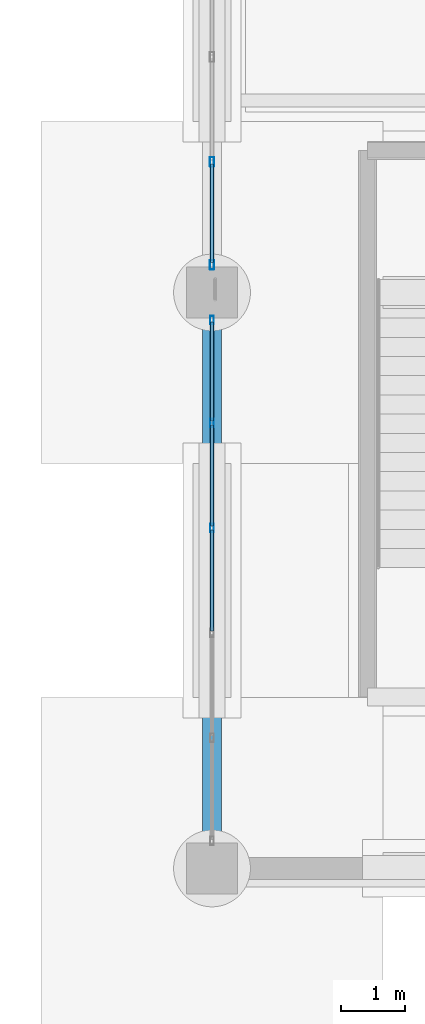
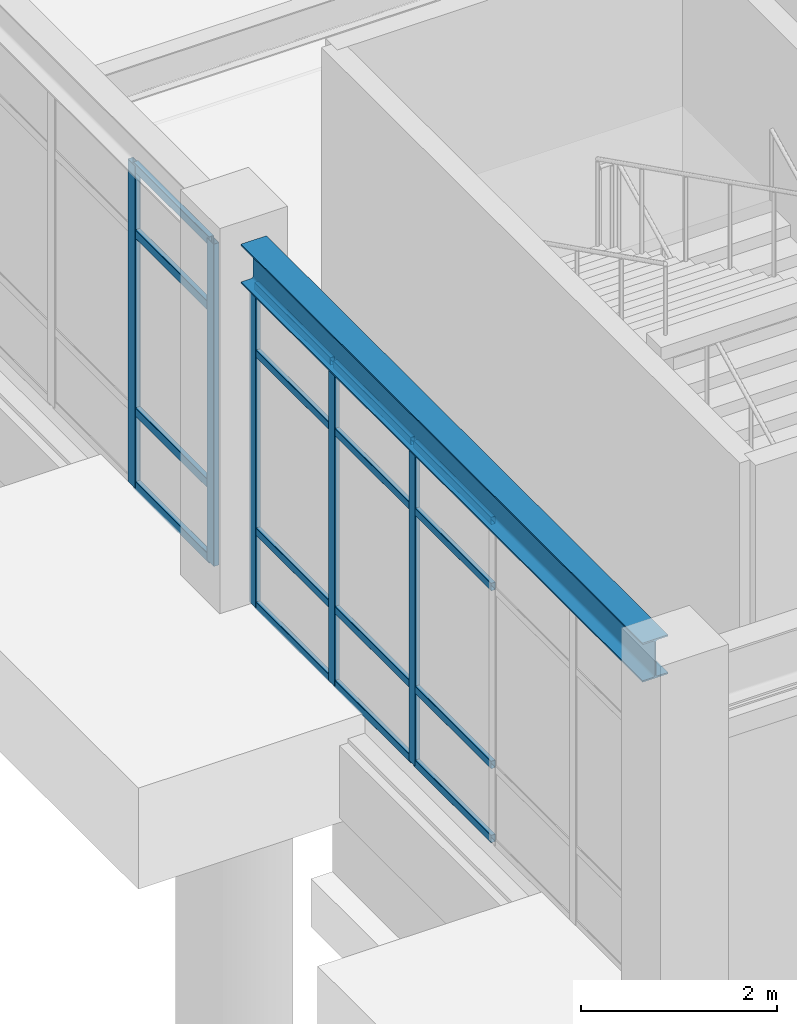
# One storey, part 35 of 98: 21 members, 1 beam, 2 elements without a shape of their own.
"""IFC4 building model written with IfcOpenShell, lengths in metres."""

from ifc_helpers import new_model, si_unit, direction, frame, origin, origin_2d, place, context, subcontext, project, spatial, hollow_rectangle, i_section, extrude, material, material_profile, profile_set, type_object, element, aggregate, save


model = new_model("IFC4")

# Units and contexts
model_context = context("Model", 3, precision=1e-05, world=origin(), true_north=direction((0.0, 1.0)))
body_context = subcontext(model_context, "Body", "Model", "MODEL_VIEW")
ifc_project = project(units=[si_unit("LENGTHUNIT", "METRE"), si_unit("AREAUNIT", "SQUARE_METRE"), si_unit("VOLUMEUNIT", "CUBIC_METRE"), si_unit("PLANEANGLEUNIT", "RADIAN"), si_unit("MASSUNIT", "GRAM", prefix="KILO")], contexts=[model_context])

# Site, building, storey
site_placement = place(None, origin())
site = spatial("IfcSite", under=ifc_project, at=site_placement, CompositionType="ELEMENT")
building_placement = place(site_placement, origin())
building = spatial("IfcBuilding", under=site, at=building_placement, Name="Canglan Escarpment Cableway Terminal", CompositionType="ELEMENT")
storey_placement = place(building_placement, frame((0.0, 0.0, 9.60009765625)))
storey = spatial("IfcBuildingStorey", under=building, at=storey_placement, Name="L02", CompositionType="ELEMENT", Elevation=9.60009765625)

# Beam
ifc_material_1 = material(Name="Steel Q355B", Category="steel")
ifc_material_profile_1 = material_profile(ifc_material_1, i_section(OverallWidth=0.300048828125, OverallDepth=0.488037109375, WebThickness=0.010986328125, FlangeThickness=0.01806640625, FilletRadius=0.02587890625, at=origin_2d()), Name="HM 488x300x11x18")
ifc_profile_set_1 = profile_set([ifc_material_profile_1], Name="Steel Q355B")
beam_type = type_object("IfcBeamType", Name="BM-HM488", PredefinedType="BEAM", material=ifc_profile_set_1)
beam_placement = place(storey_placement, frame((115.10009765625, 43.39990234375, 4.27587890625), z_axis=(0.0, 1.0, 0.0), x_axis=(-1.0, 0.0, 0.0)))
element("IfcBeam", 1, at=beam_placement, inside=storey, type_object=beam_type, Name="Primary transverse girder B-09", PredefinedType="BEAM", context=body_context, shape_type="SweptSolid", body=[
    extrude(i_section(OverallWidth=0.300048828125, OverallDepth=0.488037109375, WebThickness=0.010986328125, FlangeThickness=0.01806640625, FilletRadius=0.02587890625, at=origin_2d()), origin(), (0.0, 0.0, 1.0), 8.2001953125),
])

# Curtain wall, members
ifc_material_2 = material(Name="Anodized bronze aluminium and Low-E double glazing", Category="aluminium")
curtain_wall_type = type_object("IfcCurtainWallType", Name="CW-BAY-8200x4025", PredefinedType="NOTDEFINED", material=ifc_material_2)
curtain_wall_1_placement = place(storey_placement, origin())
curtain_wall_1 = element("IfcCurtainWall", 2, at=curtain_wall_1_placement, inside=storey, type_object=curtain_wall_type, Name="Classical bay-between-piers glazed curtain wall CW-44", PredefinedType="NOTDEFINED")
ifc_material_3 = material(Name="Thermally broken anodized aluminium 6063-T6", Category="aluminium")
ifc_material_profile_2 = material_profile(ifc_material_3, hollow_rectangle(XDim=0.06005859375, YDim=0.1298828125, WallThickness=0.0029296875, InnerFilletRadius=0.0029296875, OuterFilletRadius=0.006103515625, at=origin_2d()), Name="ALU-MULL 60x130x3")
ifc_profile_set_2 = profile_set([ifc_material_profile_2], Name="Thermally broken anodized aluminium 6063-T6")
member_type_1 = type_object("IfcMemberType", Name="CWM-01", PredefinedType="MULLION", material=ifc_profile_set_2)
member_1_placement = place(storey_placement, frame((115.10009765625, 51.570068359375, 0.0), z_axis=(0.0, 0.0, 1.0), x_axis=(1.0, 0.0, 0.0)))
member_1 = element("IfcMember", 3, at=member_1_placement, type_object=member_type_1, Name="CW-44 mullion 1", PredefinedType="MULLION", context=body_context, shape_type="SweptSolid", body=[
    extrude(hollow_rectangle(XDim=0.06005859375, YDim=0.1298828125, WallThickness=0.0029296875, InnerFilletRadius=0.0029296875, OuterFilletRadius=0.006103515625, at=origin_2d()), origin(), (0.0, 0.0, 1.0), 4.016845703125),
])
member_2_placement = place(storey_placement, frame((115.10009765625, 49.9599609375, 0.0), z_axis=(0.0, 0.0, 1.0), x_axis=(1.0, 0.0, 0.0)))
member_2 = element("IfcMember", 4, at=member_2_placement, type_object=member_type_1, Name="CW-44 mullion 2", PredefinedType="MULLION", context=body_context, shape_type="SweptSolid", body=[
    extrude(hollow_rectangle(XDim=0.06005859375, YDim=0.1298828125, WallThickness=0.0029296875, InnerFilletRadius=0.0029296875, OuterFilletRadius=0.006103515625, at=origin_2d()), origin(), (0.0, 0.0, 1.0), 4.016845703125),
])
member_3_placement = place(storey_placement, frame((115.10009765625, 48.320068359375, 0.0), z_axis=(0.0, 0.0, 1.0), x_axis=(1.0, 0.0, 0.0)))
member_3 = element("IfcMember", 5, at=member_3_placement, type_object=member_type_1, Name="CW-44 mullion 3", PredefinedType="MULLION", context=body_context, shape_type="SweptSolid", body=[
    extrude(hollow_rectangle(XDim=0.06005859375, YDim=0.1298828125, WallThickness=0.0029296875, InnerFilletRadius=0.0029296875, OuterFilletRadius=0.006103515625, at=origin_2d()), origin(), (0.0, 0.0, 1.0), 4.016845703125),
])

curtain_wall_2_placement = place(storey_placement, origin())
curtain_wall_2 = element("IfcCurtainWall", 6, at=curtain_wall_2_placement, inside=storey, type_object=curtain_wall_type, Name="Classical bay-between-piers glazed curtain wall CW-44", PredefinedType="NOTDEFINED")
ifc_material_profile_3 = material_profile(ifc_material_3, hollow_rectangle(XDim=0.06494140625, YDim=0.14990234375, WallThickness=0.00341796875, InnerFilletRadius=0.00341796875, OuterFilletRadius=0.007080078125, at=origin_2d()), Name="ALU-MULL 65x150x3.5")
ifc_profile_set_3 = profile_set([ifc_material_profile_3], Name="Thermally broken anodized aluminium 6063-T6")
member_type_2 = type_object("IfcMemberType", Name="CWM-02", PredefinedType="MULLION", material=ifc_profile_set_3)
member_4_placement = place(storey_placement, frame((115.10009765625, 54.0400390625, 0.0), z_axis=(0.0, 0.0, 1.0), x_axis=(1.0, 0.0, 0.0)))
member_4 = element("IfcMember", 7, at=member_4_placement, type_object=member_type_2, Name="CW-44 mullion 5", PredefinedType="MULLION", context=body_context, shape_type="SweptSolid", body=[
    extrude(hollow_rectangle(XDim=0.06494140625, YDim=0.14990234375, WallThickness=0.00341796875, InnerFilletRadius=0.00341796875, OuterFilletRadius=0.007080078125, at=origin_2d()), origin(), (0.0, 0.0, 1.0), 4.016845703125),
])
member_5_placement = place(storey_placement, frame((115.10009765625, 52.4326171875, 0.0), z_axis=(0.0, 0.0, 1.0), x_axis=(1.0, 0.0, 0.0)))
member_5 = element("IfcMember", 8, at=member_5_placement, type_object=member_type_2, Name="CW-44 mullion 6", PredefinedType="MULLION", context=body_context, shape_type="SweptSolid", body=[
    extrude(hollow_rectangle(XDim=0.06494140625, YDim=0.14990234375, WallThickness=0.00341796875, InnerFilletRadius=0.00341796875, OuterFilletRadius=0.007080078125, at=origin_2d()), origin(), (0.0, 0.0, 1.0), 4.016845703125),
])

# Member
ifc_material_profile_4 = material_profile(ifc_material_3, hollow_rectangle(XDim=0.054931640625, YDim=0.094970703125, WallThickness=0.0029296875, InnerFilletRadius=0.0029296875, OuterFilletRadius=0.006103515625, at=origin_2d()), Name="ALU-TRAN 55x95x3")
ifc_profile_set_4 = profile_set([ifc_material_profile_4], Name="Thermally broken anodized aluminium 6063-T6")
member_type_3 = type_object("IfcMemberType", Name="CWT-01", PredefinedType="USERDEFINED", material=ifc_profile_set_4)
member_6_placement = place(storey_placement, frame((115.10009765625, 51.5400390625, 0.02734375), z_axis=(0.0, -1.0, 0.0), x_axis=(1.0, 0.0, 0.0)))
member_6 = element("IfcMember", 9, at=member_6_placement, type_object=member_type_3, Name="CW-44 transom 1.1", ObjectType="TRANSOM", PredefinedType="USERDEFINED", context=body_context, shape_type="SweptSolid", body=[
    extrude(hollow_rectangle(XDim=0.054931640625, YDim=0.094970703125, WallThickness=0.0029296875, InnerFilletRadius=0.0029296875, OuterFilletRadius=0.006103515625, at=origin_2d()), origin(), (0.0, 0.0, 1.0), 1.550048828125),
])

member_7_placement = place(storey_placement, frame((115.10009765625, 51.5400390625, 0.949951171875), z_axis=(0.0, -1.0, 0.0), x_axis=(1.0, 0.0, 0.0)))
member_7 = element("IfcMember", 10, at=member_7_placement, type_object=member_type_3, Name="CW-44 transom 1.2", ObjectType="TRANSOM", PredefinedType="USERDEFINED", context=body_context, shape_type="SweptSolid", body=[
    extrude(hollow_rectangle(XDim=0.054931640625, YDim=0.094970703125, WallThickness=0.0029296875, InnerFilletRadius=0.0029296875, OuterFilletRadius=0.006103515625, at=origin_2d()), origin(), (0.0, 0.0, 1.0), 1.550048828125),
])

member_8_placement = place(storey_placement, frame((115.10009765625, 51.5400390625, 3.1669921875), z_axis=(0.0, -1.0, 0.0), x_axis=(1.0, 0.0, 0.0)))
member_8 = element("IfcMember", 11, at=member_8_placement, type_object=member_type_3, Name="CW-44 transom 1.3", ObjectType="TRANSOM", PredefinedType="USERDEFINED", context=body_context, shape_type="SweptSolid", body=[
    extrude(hollow_rectangle(XDim=0.054931640625, YDim=0.094970703125, WallThickness=0.0029296875, InnerFilletRadius=0.0029296875, OuterFilletRadius=0.006103515625, at=origin_2d()), origin(), (0.0, 0.0, 1.0), 1.550048828125),
])

member_9_placement = place(storey_placement, frame((115.10009765625, 51.5400390625, 3.989501953125), z_axis=(0.0, -1.0, 0.0), x_axis=(1.0, 0.0, 0.0)))
member_9 = element("IfcMember", 12, at=member_9_placement, type_object=member_type_3, Name="CW-44 transom 1.4", ObjectType="TRANSOM", PredefinedType="USERDEFINED", context=body_context, shape_type="SweptSolid", body=[
    extrude(hollow_rectangle(XDim=0.054931640625, YDim=0.094970703125, WallThickness=0.0029296875, InnerFilletRadius=0.0029296875, OuterFilletRadius=0.006103515625, at=origin_2d()), origin(), (0.0, 0.0, 1.0), 1.550048828125),
])

member_10_placement = place(storey_placement, frame((115.10009765625, 49.929931640625, 0.02734375), z_axis=(0.0, -1.0, 0.0), x_axis=(1.0, 0.0, 0.0)))
member_10 = element("IfcMember", 13, at=member_10_placement, type_object=member_type_3, Name="CW-44 transom 2.1", ObjectType="TRANSOM", PredefinedType="USERDEFINED", context=body_context, shape_type="SweptSolid", body=[
    extrude(hollow_rectangle(XDim=0.054931640625, YDim=0.094970703125, WallThickness=0.0029296875, InnerFilletRadius=0.0029296875, OuterFilletRadius=0.006103515625, at=origin_2d()), origin(), (0.0, 0.0, 1.0), 1.579833984375),
])

member_11_placement = place(storey_placement, frame((115.10009765625, 49.929931640625, 0.949951171875), z_axis=(0.0, -1.0, 0.0), x_axis=(1.0, 0.0, 0.0)))
member_11 = element("IfcMember", 14, at=member_11_placement, type_object=member_type_3, Name="CW-44 transom 2.2", ObjectType="TRANSOM", PredefinedType="USERDEFINED", context=body_context, shape_type="SweptSolid", body=[
    extrude(hollow_rectangle(XDim=0.054931640625, YDim=0.094970703125, WallThickness=0.0029296875, InnerFilletRadius=0.0029296875, OuterFilletRadius=0.006103515625, at=origin_2d()), origin(), (0.0, 0.0, 1.0), 1.579833984375),
])

member_12_placement = place(storey_placement, frame((115.10009765625, 49.929931640625, 3.1669921875), z_axis=(0.0, -1.0, 0.0), x_axis=(1.0, 0.0, 0.0)))
member_12 = element("IfcMember", 15, at=member_12_placement, type_object=member_type_3, Name="CW-44 transom 2.3", ObjectType="TRANSOM", PredefinedType="USERDEFINED", context=body_context, shape_type="SweptSolid", body=[
    extrude(hollow_rectangle(XDim=0.054931640625, YDim=0.094970703125, WallThickness=0.0029296875, InnerFilletRadius=0.0029296875, OuterFilletRadius=0.006103515625, at=origin_2d()), origin(), (0.0, 0.0, 1.0), 1.579833984375),
])

member_13_placement = place(storey_placement, frame((115.10009765625, 49.929931640625, 3.989501953125), z_axis=(0.0, -1.0, 0.0), x_axis=(1.0, 0.0, 0.0)))
member_13 = element("IfcMember", 16, at=member_13_placement, type_object=member_type_3, Name="CW-44 transom 2.4", ObjectType="TRANSOM", PredefinedType="USERDEFINED", context=body_context, shape_type="SweptSolid", body=[
    extrude(hollow_rectangle(XDim=0.054931640625, YDim=0.094970703125, WallThickness=0.0029296875, InnerFilletRadius=0.0029296875, OuterFilletRadius=0.006103515625, at=origin_2d()), origin(), (0.0, 0.0, 1.0), 1.579833984375),
])

member_14_placement = place(storey_placement, frame((115.10009765625, 48.2900390625, 0.02734375), z_axis=(0.0, -1.0, 0.0), x_axis=(1.0, 0.0, 0.0)))
member_14 = element("IfcMember", 17, at=member_14_placement, type_object=member_type_3, Name="CW-44 transom 3.1", ObjectType="TRANSOM", PredefinedType="USERDEFINED", context=body_context, shape_type="SweptSolid", body=[
    extrude(hollow_rectangle(XDim=0.054931640625, YDim=0.094970703125, WallThickness=0.0029296875, InnerFilletRadius=0.0029296875, OuterFilletRadius=0.006103515625, at=origin_2d()), origin(), (0.0, 0.0, 1.0), 1.580078125),
])

member_15_placement = place(storey_placement, frame((115.10009765625, 48.2900390625, 0.949951171875), z_axis=(0.0, -1.0, 0.0), x_axis=(1.0, 0.0, 0.0)))
member_15 = element("IfcMember", 18, at=member_15_placement, type_object=member_type_3, Name="CW-44 transom 3.2", ObjectType="TRANSOM", PredefinedType="USERDEFINED", context=body_context, shape_type="SweptSolid", body=[
    extrude(hollow_rectangle(XDim=0.054931640625, YDim=0.094970703125, WallThickness=0.0029296875, InnerFilletRadius=0.0029296875, OuterFilletRadius=0.006103515625, at=origin_2d()), origin(), (0.0, 0.0, 1.0), 1.580078125),
])

member_16_placement = place(storey_placement, frame((115.10009765625, 48.2900390625, 3.1669921875), z_axis=(0.0, -1.0, 0.0), x_axis=(1.0, 0.0, 0.0)))
member_16 = element("IfcMember", 19, at=member_16_placement, type_object=member_type_3, Name="CW-44 transom 3.3", ObjectType="TRANSOM", PredefinedType="USERDEFINED", context=body_context, shape_type="SweptSolid", body=[
    extrude(hollow_rectangle(XDim=0.054931640625, YDim=0.094970703125, WallThickness=0.0029296875, InnerFilletRadius=0.0029296875, OuterFilletRadius=0.006103515625, at=origin_2d()), origin(), (0.0, 0.0, 1.0), 1.580078125),
])

member_17_placement = place(storey_placement, frame((115.10009765625, 48.2900390625, 3.989501953125), z_axis=(0.0, -1.0, 0.0), x_axis=(1.0, 0.0, 0.0)))
member_17 = element("IfcMember", 20, at=member_17_placement, type_object=member_type_3, Name="CW-44 transom 3.4", ObjectType="TRANSOM", PredefinedType="USERDEFINED", context=body_context, shape_type="SweptSolid", body=[
    extrude(hollow_rectangle(XDim=0.054931640625, YDim=0.094970703125, WallThickness=0.0029296875, InnerFilletRadius=0.0029296875, OuterFilletRadius=0.006103515625, at=origin_2d()), origin(), (0.0, 0.0, 1.0), 1.580078125),
])

aggregate(curtain_wall_1, [member_1, member_2, member_3, member_6, member_7, member_8, member_9, member_10, member_11, member_12, member_13, member_14, member_15, member_16, member_17])

ifc_material_profile_5 = material_profile(ifc_material_3, hollow_rectangle(XDim=0.06005859375, YDim=0.110107421875, WallThickness=0.0029296875, InnerFilletRadius=0.0029296875, OuterFilletRadius=0.006103515625, at=origin_2d()), Name="ALU-TRAN 60x110x3")
ifc_profile_set_5 = profile_set([ifc_material_profile_5], Name="Thermally broken anodized aluminium 6063-T6")
member_type_4 = type_object("IfcMemberType", Name="CWT-02", PredefinedType="USERDEFINED", material=ifc_profile_set_5)
member_18_placement = place(storey_placement, frame((115.10009765625, 54.007568359375, 0.02978515625), z_axis=(0.0, -1.0, 0.0), x_axis=(1.0, 0.0, 0.0)))
member_18 = element("IfcMember", 21, at=member_18_placement, type_object=member_type_4, Name="CW-44 transom 5.1", ObjectType="TRANSOM", PredefinedType="USERDEFINED", context=body_context, shape_type="SweptSolid", body=[
    extrude(hollow_rectangle(XDim=0.06005859375, YDim=0.110107421875, WallThickness=0.0029296875, InnerFilletRadius=0.0029296875, OuterFilletRadius=0.006103515625, at=origin_2d()), origin(), (0.0, 0.0, 1.0), 1.54248046875),
])

member_19_placement = place(storey_placement, frame((115.10009765625, 54.007568359375, 0.949951171875), z_axis=(0.0, -1.0, 0.0), x_axis=(1.0, 0.0, 0.0)))
member_19 = element("IfcMember", 22, at=member_19_placement, type_object=member_type_4, Name="CW-44 transom 5.2", ObjectType="TRANSOM", PredefinedType="USERDEFINED", context=body_context, shape_type="SweptSolid", body=[
    extrude(hollow_rectangle(XDim=0.06005859375, YDim=0.110107421875, WallThickness=0.0029296875, InnerFilletRadius=0.0029296875, OuterFilletRadius=0.006103515625, at=origin_2d()), origin(), (0.0, 0.0, 1.0), 1.54248046875),
])

member_20_placement = place(storey_placement, frame((115.10009765625, 54.007568359375, 3.1669921875), z_axis=(0.0, -1.0, 0.0), x_axis=(1.0, 0.0, 0.0)))
member_20 = element("IfcMember", 23, at=member_20_placement, type_object=member_type_4, Name="CW-44 transom 5.3", ObjectType="TRANSOM", PredefinedType="USERDEFINED", context=body_context, shape_type="SweptSolid", body=[
    extrude(hollow_rectangle(XDim=0.06005859375, YDim=0.110107421875, WallThickness=0.0029296875, InnerFilletRadius=0.0029296875, OuterFilletRadius=0.006103515625, at=origin_2d()), origin(), (0.0, 0.0, 1.0), 1.54248046875),
])

member_21_placement = place(storey_placement, frame((115.10009765625, 54.007568359375, 3.98681640625), z_axis=(0.0, -1.0, 0.0), x_axis=(1.0, 0.0, 0.0)))
member_21 = element("IfcMember", 24, at=member_21_placement, type_object=member_type_4, Name="CW-44 transom 5.4", ObjectType="TRANSOM", PredefinedType="USERDEFINED", context=body_context, shape_type="SweptSolid", body=[
    extrude(hollow_rectangle(XDim=0.06005859375, YDim=0.110107421875, WallThickness=0.0029296875, InnerFilletRadius=0.0029296875, OuterFilletRadius=0.006103515625, at=origin_2d()), origin(), (0.0, 0.0, 1.0), 1.54248046875),
])

aggregate(curtain_wall_2, [member_4, member_5, member_18, member_19, member_20, member_21])

save(model, "model.ifc")
